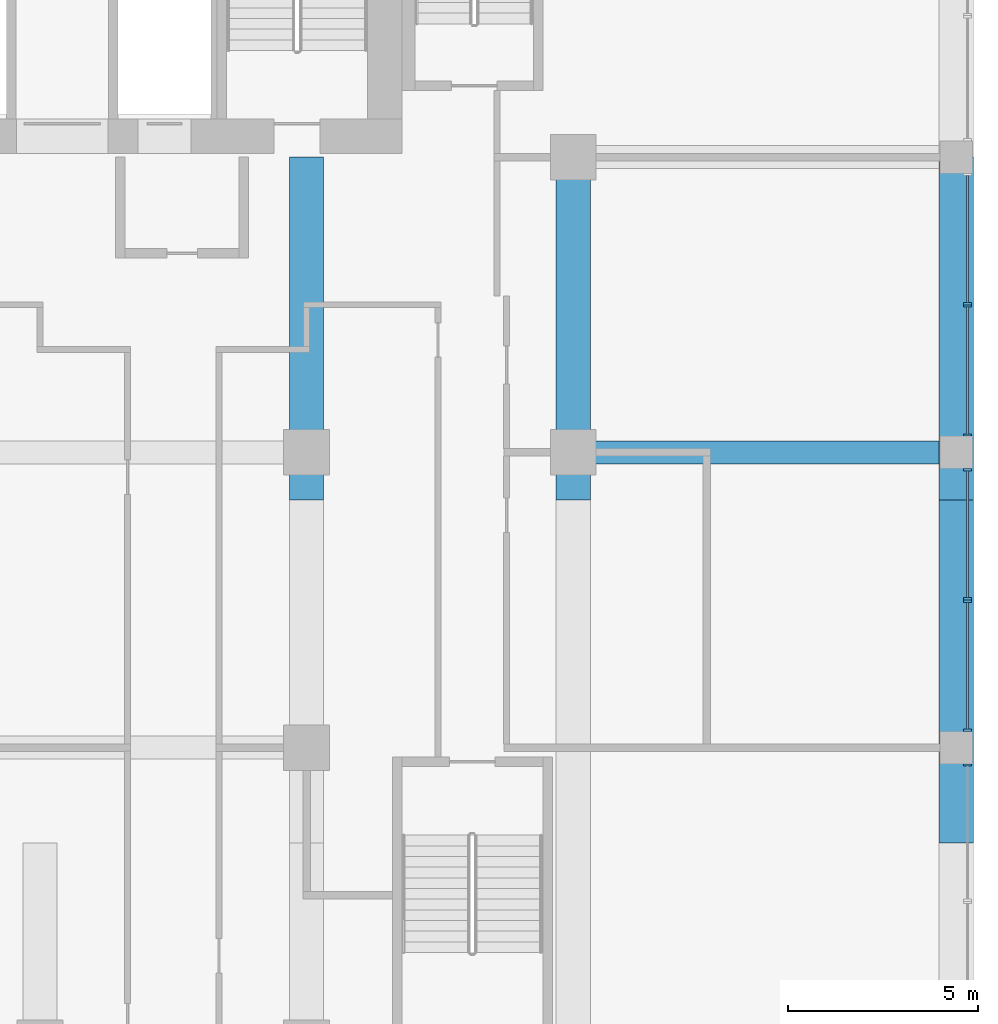
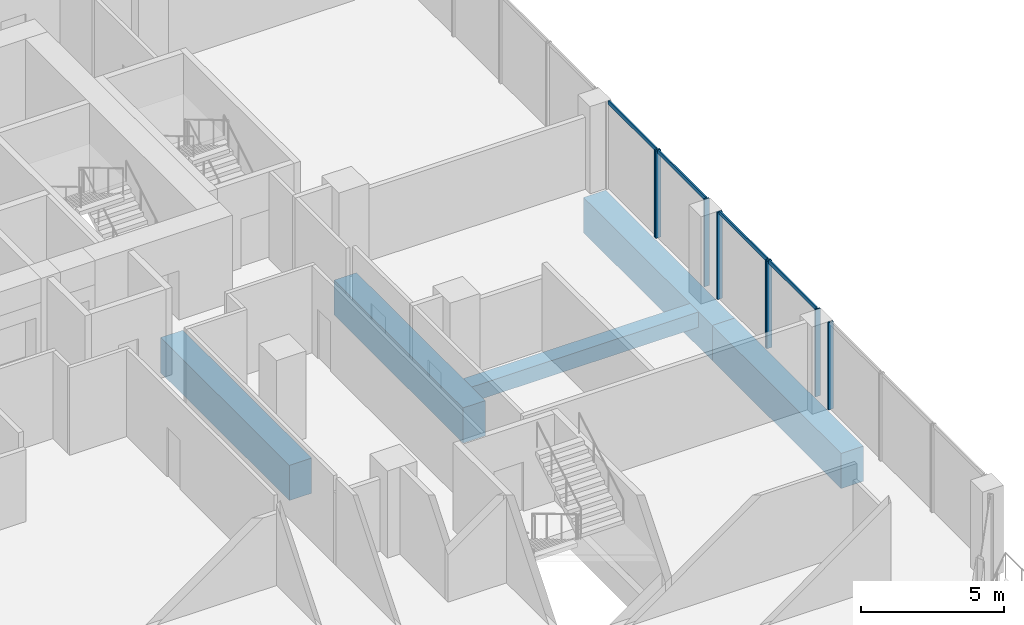
# One storey, part 5 of 17: 12 members, 5 beams, 5 elements without a shape of their own.
"""IFC4 building model written with IfcOpenShell, lengths in metres."""

from ifc_helpers import new_model, si_unit, direction, frame, origin, origin_2d, place, context, subcontext, project, spatial, rectangle, extrude, source, transform, mapped, material, material_profile, profile_set, type_object, element, aggregate, save


model = new_model("IFC4")

# Units and contexts
model_context = context("Model", 3, precision=1e-05, world=origin(), true_north=direction((0.0, 1.0)))
body_context = subcontext(model_context, "Body", "Model", "MODEL_VIEW")
ifc_project = project(units=[si_unit("LENGTHUNIT", "METRE"), si_unit("AREAUNIT", "SQUARE_METRE"), si_unit("VOLUMEUNIT", "CUBIC_METRE"), si_unit("PLANEANGLEUNIT", "RADIAN"), si_unit("MASSUNIT", "GRAM", prefix="KILO")], contexts=[model_context])

# Site, building, storey
site_placement = place(None, origin())
site = spatial("IfcSite", under=ifc_project, at=site_placement, CompositionType="ELEMENT")
building_placement = place(site_placement, origin())
building = spatial("IfcBuilding", under=site, at=building_placement, Name="Kilnfold Tower and Market Hall", CompositionType="ELEMENT")
storey_placement = place(building_placement, frame((0.0, 0.0, 100.60009765625)))
storey = spatial("IfcBuildingStorey", under=building, at=storey_placement, Name="L23", CompositionType="ELEMENT", Elevation=100.60009765625)

# Beams
ifc_material_1 = material(Name="Concrete C60", Category="concrete")
ifc_material_profile_1 = material_profile(ifc_material_1, rectangle(XDim=0.89990234375, YDim=1.5, at=origin_2d()), Name="RC 900x1500")
ifc_profile_set_1 = profile_set([ifc_material_profile_1], Name="Concrete C60")
beam_type_1 = type_object("IfcBeamType", Name="TRANSFER GIRDER 900X1500 C60", PredefinedType="BEAM", material=ifc_profile_set_1)
shared_shape_1 = source(origin(), body_context, "Body", "SweptSolid", [
    extrude(rectangle(XDim=0.89990234375, YDim=1.5, at=origin_2d()), origin(), (0.0, 0.0, 1.0), 9.0),
])
for number, where, z_axis, x_axis, name in (
    (1, (15.5, -1.0, -1.150146484375), (0.0, 1.0, 0.0), (-1.0, 0.0, 0.0), "Beam TG1500-B3.26"),
    (2, (22.5, -1.0, -1.150146484375), (0.0, 1.0, 0.0), (-1.0, 0.0, 0.0), "Beam TG1500-B3.30"),
    (3, (32.550048828125, -10.0, -1.150146484375), (0.0, 1.0, 0.0), (-1.0, 0.0, 0.0), "Beam TG1500-B3.33"),
    (4, (32.550048828125, -1.0, -1.150146484375), (0.0, 1.0, 0.0), (-1.0, 0.0, 0.0), "Beam TG1500-B3.34"),
):
    element("IfcBeam", number, at=place(storey_placement, frame(where, z_axis=z_axis, x_axis=x_axis)), inside=storey, type_object=beam_type_1, Name=name, PredefinedType="BEAM", context=body_context, shape_type="MappedRepresentation", body=[
        mapped(shared_shape_1, transform((0.0, 0.0, 0.0))),
    ])
ifc_material_2 = material(Name="Concrete C45", Category="concrete")
ifc_material_profile_2 = material_profile(ifc_material_2, rectangle(XDim=0.60009765625, YDim=0.64990234375, at=origin_2d()), Name="RC 600x650")
ifc_profile_set_2 = profile_set([ifc_material_profile_2], Name="Concrete C45")
beam_type_2 = type_object("IfcBeamType", Name="BEAM 600X650 C45", PredefinedType="BEAM", material=ifc_profile_set_2)
shared_shape_2 = source(origin(), body_context, "Body", "SweptSolid", [
    extrude(rectangle(XDim=0.60009765625, YDim=0.64990234375, at=origin_2d()), origin(), (0.0, 0.0, 1.0), 9.150146484375),
])
beam_placement = place(storey_placement, frame((22.949951171875, 0.25, -0.72509765625), z_axis=(1.0, 0.0, 0.0), x_axis=(0.0, 1.0, 0.0)))
element("IfcBeam", 5, at=beam_placement, inside=storey, type_object=beam_type_2, Name="Beam BB650-B3.48", PredefinedType="BEAM", context=body_context, shape_type="MappedRepresentation", body=[
    mapped(shared_shape_2, transform((0.0, 0.0, 0.0))),
])

# Curtain wall, member
ifc_material_3 = material(Name="Aluminium and double glazing", Category="aluminium")
curtain_wall_type = type_object("IfcCurtainWallType", Name="CW OF2 VALLEY GLAZING", PredefinedType="NOTDEFINED", material=ifc_material_3)
curtain_wall_1_placement = place(storey_placement, origin())
curtain_wall_1 = element("IfcCurtainWall", 6, at=curtain_wall_1_placement, inside=storey, type_object=curtain_wall_type, Name="Curtain wall CW2 L23 E", PredefinedType="NOTDEFINED")
ifc_material_4 = material(Name="Aluminium", Category="aluminium")
ifc_material_profile_3 = material_profile(ifc_material_4, rectangle(XDim=0.06005859375, YDim=0.199951171875, at=origin_2d()), Name="MULLION 60x200")
ifc_profile_set_3 = profile_set([ifc_material_profile_3], Name="Aluminium")
member_type_1 = type_object("IfcMemberType", Name="MULLION 60X200", PredefinedType="MULLION", material=ifc_profile_set_3)
shared_shape_3 = source(origin(), body_context, "Body", "SweptSolid", [
    extrude(rectangle(XDim=0.06005859375, YDim=0.199951171875, at=origin_2d()), origin(), (0.0, 0.0, 1.0), 3.719970703125),
])
member_1_placement = place(storey_placement, frame((32.85009765625, -7.955078125, 0.0), z_axis=(0.0, 0.0, 1.0), x_axis=(0.0, 1.0, 0.0)))
member_1 = element("IfcMember", 7, at=member_1_placement, type_object=member_type_1, Name="CW2 mullion 2", PredefinedType="MULLION", context=body_context, shape_type="MappedRepresentation", body=[
    mapped(shared_shape_3, transform((0.0, 0.0, 0.0))),
])
aggregate(curtain_wall_1, [member_1])

# Curtain wall, members
curtain_wall_2_placement = place(storey_placement, origin())
curtain_wall_2 = element("IfcCurtainWall", 8, at=curtain_wall_2_placement, inside=storey, type_object=curtain_wall_type, Name="Curtain wall CW2 L23 E", PredefinedType="NOTDEFINED")
member_2_placement = place(storey_placement, frame((32.85009765625, -7.044921875, 0.0), z_axis=(0.0, 0.0, 1.0), x_axis=(0.0, 1.0, 0.0)))
member_2 = element("IfcMember", 9, at=member_2_placement, type_object=member_type_1, Name="CW2 mullion 1", PredefinedType="MULLION", context=body_context, shape_type="MappedRepresentation", body=[
    mapped(shared_shape_3, transform((0.0, 0.0, 0.0))),
])
member_3_placement = place(storey_placement, frame((32.85009765625, -3.655029296875, 0.0), z_axis=(0.0, 0.0, 1.0), x_axis=(0.0, 1.0, 0.0)))
member_3 = element("IfcMember", 10, at=member_3_placement, type_object=member_type_1, Name="CW2 mullion 2", PredefinedType="MULLION", context=body_context, shape_type="MappedRepresentation", body=[
    mapped(shared_shape_3, transform((0.0, 0.0, 0.0))),
])

curtain_wall_3_placement = place(storey_placement, origin())
curtain_wall_3 = element("IfcCurtainWall", 11, at=curtain_wall_3_placement, inside=storey, type_object=curtain_wall_type, Name="Curtain wall CW2 L23 E", PredefinedType="NOTDEFINED")
member_4_placement = place(storey_placement, frame((32.85009765625, -3.594970703125, 0.0), z_axis=(0.0, 0.0, 1.0), x_axis=(0.0, 1.0, 0.0)))
member_4 = element("IfcMember", 12, at=member_4_placement, type_object=member_type_1, Name="CW2 mullion 1", PredefinedType="MULLION", context=body_context, shape_type="MappedRepresentation", body=[
    mapped(shared_shape_3, transform((0.0, 0.0, 0.0))),
])
member_5_placement = place(storey_placement, frame((32.85009765625, -0.205078125, 0.0), z_axis=(0.0, 0.0, 1.0), x_axis=(0.0, 1.0, 0.0)))
member_5 = element("IfcMember", 13, at=member_5_placement, type_object=member_type_1, Name="CW2 mullion 2", PredefinedType="MULLION", context=body_context, shape_type="MappedRepresentation", body=[
    mapped(shared_shape_3, transform((0.0, 0.0, 0.0))),
])

curtain_wall_4_placement = place(storey_placement, origin())
curtain_wall_4 = element("IfcCurtainWall", 14, at=curtain_wall_4_placement, inside=storey, type_object=curtain_wall_type, Name="Curtain wall CW2 L23 E", PredefinedType="NOTDEFINED")
member_6_placement = place(storey_placement, frame((32.85009765625, 0.705078125, 0.0), z_axis=(0.0, 0.0, 1.0), x_axis=(0.0, 1.0, 0.0)))
member_6 = element("IfcMember", 15, at=member_6_placement, type_object=member_type_1, Name="CW2 mullion 1", PredefinedType="MULLION", context=body_context, shape_type="MappedRepresentation", body=[
    mapped(shared_shape_3, transform((0.0, 0.0, 0.0))),
])
member_7_placement = place(storey_placement, frame((32.85009765625, 4.094970703125, 0.0), z_axis=(0.0, 0.0, 1.0), x_axis=(0.0, 1.0, 0.0)))
member_7 = element("IfcMember", 16, at=member_7_placement, type_object=member_type_1, Name="CW2 mullion 2", PredefinedType="MULLION", context=body_context, shape_type="MappedRepresentation", body=[
    mapped(shared_shape_3, transform((0.0, 0.0, 0.0))),
])

# Curtain wall, member
curtain_wall_5_placement = place(storey_placement, origin())
curtain_wall_5 = element("IfcCurtainWall", 17, at=curtain_wall_5_placement, inside=storey, type_object=curtain_wall_type, Name="Curtain wall CW2 L23 E", PredefinedType="NOTDEFINED")
member_8_placement = place(storey_placement, frame((32.85009765625, 4.155029296875, 0.0), z_axis=(0.0, 0.0, 1.0), x_axis=(0.0, 1.0, 0.0)))
member_8 = element("IfcMember", 18, at=member_8_placement, type_object=member_type_1, Name="CW2 mullion 1", PredefinedType="MULLION", context=body_context, shape_type="MappedRepresentation", body=[
    mapped(shared_shape_3, transform((0.0, 0.0, 0.0))),
])

# Member
ifc_material_5 = material(Name="Aluminium", Category="aluminium")
ifc_material_profile_4 = material_profile(ifc_material_5, rectangle(XDim=0.06005859375, YDim=0.159912109375, at=origin_2d()), Name="TRANSOM 60x160")
ifc_profile_set_4 = profile_set([ifc_material_profile_4], Name="Aluminium")
member_type_2 = type_object("IfcMemberType", Name="TRANSOM 60X160", PredefinedType="USERDEFINED", material=ifc_profile_set_4)
shared_shape_4 = source(origin(), body_context, "Body", "SweptSolid", [
    extrude(rectangle(XDim=0.06005859375, YDim=0.159912109375, at=origin_2d()), origin(), (0.0, 0.0, 1.0), 3.329833984375),
])
member_9_placement = place(storey_placement, frame((32.85009765625, -7.014892578125, 3.68994140625), z_axis=(0.0, 1.0, 0.0), x_axis=(-1.0, 0.0, 0.0)))
member_9 = element("IfcMember", 19, at=member_9_placement, type_object=member_type_2, Name="CW2 transom 1.2", ObjectType="TRANSOM", PredefinedType="USERDEFINED", context=body_context, shape_type="MappedRepresentation", body=[
    mapped(shared_shape_4, transform((0.0, 0.0, 0.0))),
])

aggregate(curtain_wall_2, [member_2, member_3, member_9])

member_10_placement = place(storey_placement, frame((32.85009765625, -3.56494140625, 3.68994140625), z_axis=(0.0, 1.0, 0.0), x_axis=(-1.0, 0.0, 0.0)))
member_10 = element("IfcMember", 20, at=member_10_placement, type_object=member_type_2, Name="CW2 transom 1.2", ObjectType="TRANSOM", PredefinedType="USERDEFINED", context=body_context, shape_type="MappedRepresentation", body=[
    mapped(shared_shape_4, transform((0.0, 0.0, 0.0))),
])

aggregate(curtain_wall_3, [member_4, member_5, member_10])

member_11_placement = place(storey_placement, frame((32.85009765625, 0.735107421875, 3.68994140625), z_axis=(0.0, 1.0, 0.0), x_axis=(-1.0, 0.0, 0.0)))
member_11 = element("IfcMember", 21, at=member_11_placement, type_object=member_type_2, Name="CW2 transom 1.2", ObjectType="TRANSOM", PredefinedType="USERDEFINED", context=body_context, shape_type="MappedRepresentation", body=[
    mapped(shared_shape_4, transform((0.0, 0.0, 0.0))),
])

aggregate(curtain_wall_4, [member_6, member_7, member_11])

member_12_placement = place(storey_placement, frame((32.85009765625, 4.18505859375, 3.68994140625), z_axis=(0.0, 1.0, 0.0), x_axis=(-1.0, 0.0, 0.0)))
member_12 = element("IfcMember", 22, at=member_12_placement, type_object=member_type_2, Name="CW2 transom 1.2", ObjectType="TRANSOM", PredefinedType="USERDEFINED", context=body_context, shape_type="MappedRepresentation", body=[
    mapped(shared_shape_4, transform((0.0, 0.0, 0.0))),
])

aggregate(curtain_wall_5, [member_8, member_12])

save(model, "model.ifc")
